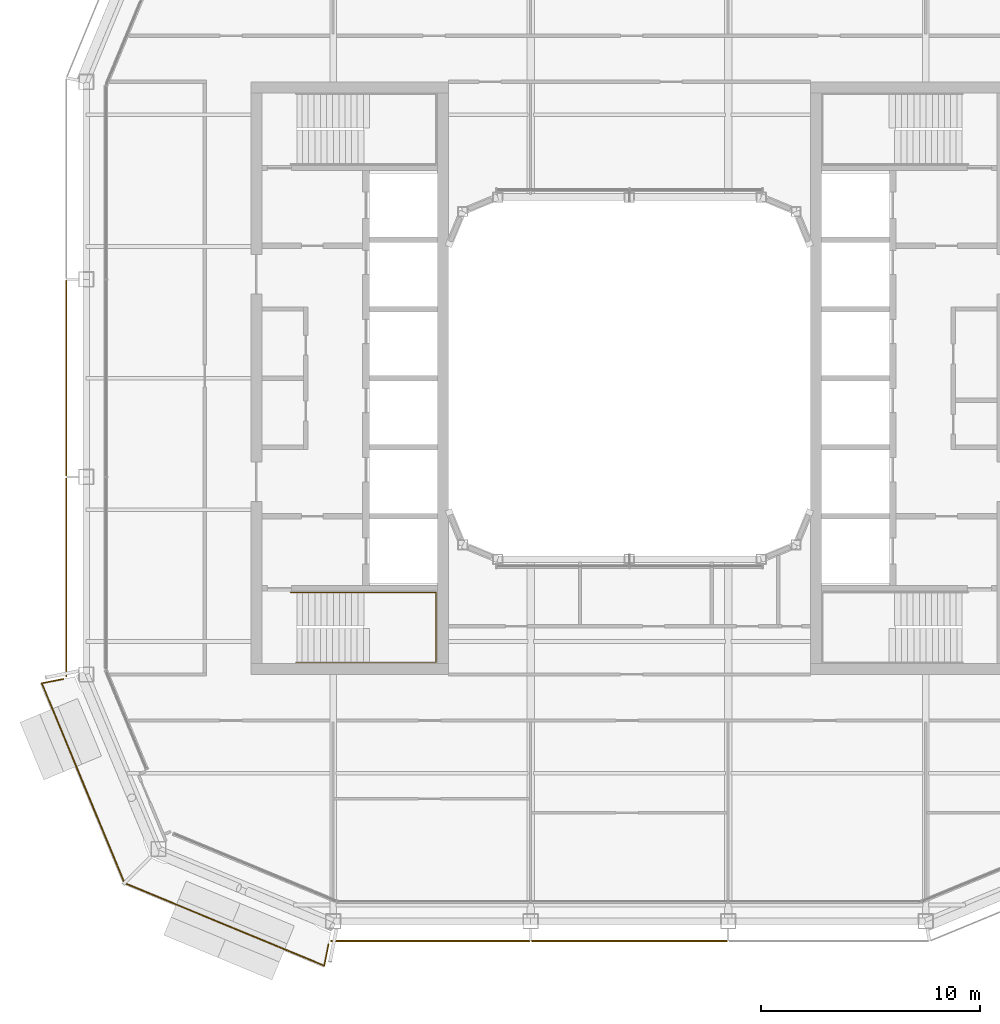
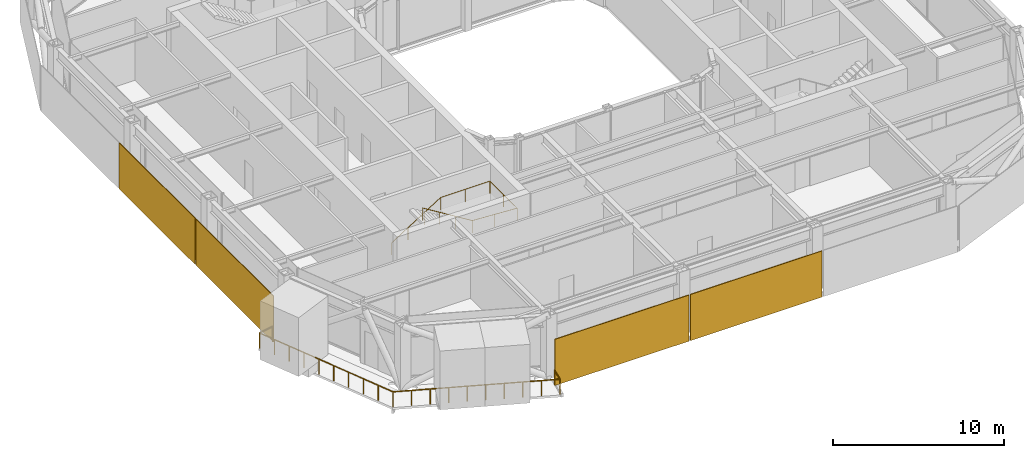
# One storey, part 17 of 21: 4 coverings, 2 railings.
"""IFC4 building model written with IfcOpenShell, lengths in metres."""

from ifc_helpers import new_model, si_unit, direction, frame, origin, origin_2d, place, context, subcontext, project, spatial, rectangle, circle, extrude, material, layer, layer_set, type_object, element, save


model = new_model("IFC4")

# Units and contexts
model_context = context("Model", 3, precision=1e-05, world=origin(), true_north=direction((0.0, 1.0)))
body_context = subcontext(model_context, "Body", "Model", "MODEL_VIEW")
ifc_project = project(units=[si_unit("LENGTHUNIT", "METRE"), si_unit("AREAUNIT", "SQUARE_METRE"), si_unit("VOLUMEUNIT", "CUBIC_METRE"), si_unit("PLANEANGLEUNIT", "RADIAN"), si_unit("MASSUNIT", "GRAM", prefix="KILO")], contexts=[model_context])

# Site, building, storey
site_placement = place(None, origin())
site = spatial("IfcSite", under=ifc_project, at=site_placement, CompositionType="ELEMENT")
building_placement = place(site_placement, origin())
building = spatial("IfcBuilding", under=site, at=building_placement, Name="Siwar Civic Tower", CompositionType="ELEMENT")
storey_placement = place(building_placement, frame((0.0, 0.0, 334.699951171875)))
storey = spatial("IfcBuildingStorey", under=building, at=storey_placement, Name="L72", CompositionType="ELEMENT", Elevation=334.699951171875)

# Railings
ifc_material_1 = material(Name="Stainless steel", Category="steel")
railing_type_1 = type_object("IfcRailingType", Name="CORE-STAIR-HANDRAIL", PredefinedType="HANDRAIL", material=ifc_material_1)
railing_1_placement = place(storey_placement, frame((-15.449951171875, -9.758056640625, 0.173095703125)))
element("IfcRailing", 1, at=railing_1_placement, inside=storey, type_object=railing_type_1, Name="Stair handrail ST2", PredefinedType="HANDRAIL", context=body_context, shape_type="SweptSolid", body=[
    extrude(circle(Radius=0.02001953125, at=origin_2d()), frame((0.0, 0.0, 0.8798828125), z_axis=(0.847063342986, 0.0, 0.531491950051), x_axis=(0.0, 1.0, 0.0)), (0.0, 0.0, 1.0), 3.90771484375),
    extrude(circle(Radius=0.02001953125, at=origin_2d()), frame((3.31005859375, 0.0, 2.956787109375), z_axis=(1.0, 0.0, 0.0), x_axis=(0.0, 1.0, 0.0)), (0.0, 0.0, 1.0), 3.331787109375),
    extrude(circle(Radius=0.02001953125, at=origin_2d()), frame((6.641845703125, 0.0, 2.956787109375), z_axis=(0.0, -1.0, 0.0), x_axis=(1.0, 0.0, 0.0)), (0.0, 0.0, 1.0), 3.183837890625),
    extrude(circle(Radius=0.02001953125, at=origin_2d()), frame((6.641845703125, -3.183837890625, 2.956787109375), z_axis=(-0.99837434197, 0.0, 0.056997134106), x_axis=(0.0, -1.0, 0.0)), (0.0, 0.0, 1.0), 3.036865234375),
    extrude(circle(Radius=0.02001953125, at=origin_2d()), frame((3.60986328125, -3.183837890625, 3.1298828125), z_axis=(-0.850606129759, 0.0, 0.525803396734), x_axis=(0.0, -1.0, 0.0)), (0.0, 0.0, 1.0), 3.949951171875),
    extrude(circle(Radius=0.02001953125, at=origin_2d()), origin(), (0.0, 0.0, 1.0), 0.85986328125),
    extrude(circle(Radius=0.02001953125, at=origin_2d()), frame((1.103271484375, 0.0, 0.6923828125)), (0.0, 0.0, 1.0), 0.85986328125),
    extrude(circle(Radius=0.02001953125, at=origin_2d()), frame((2.206787109375, 0.0, 1.384521484375)), (0.0, 0.0, 1.0), 0.85986328125),
    extrude(circle(Radius=0.02001953125, at=origin_2d()), frame((3.31005859375, 0.0, 2.076904296875)), (0.0, 0.0, 1.0), 0.85986328125),
    extrude(circle(Radius=0.02001953125, at=origin_2d()), frame((4.97607421875, 0.0, 2.076904296875)), (0.0, 0.0, 1.0), 0.85986328125),
    extrude(circle(Radius=0.02001953125, at=origin_2d()), frame((6.641845703125, 0.0, 2.076904296875)), (0.0, 0.0, 1.0), 0.85986328125),
    extrude(circle(Radius=0.02001953125, at=origin_2d()), frame((6.641845703125, -1.591796875, 2.076904296875)), (0.0, 0.0, 1.0), 0.85986328125),
    extrude(circle(Radius=0.02001953125, at=origin_2d()), frame((6.641845703125, -3.183837890625, 2.076904296875)), (0.0, 0.0, 1.0), 0.85986328125),
    extrude(circle(Radius=0.02001953125, at=origin_2d()), frame((5.1259765625, -3.183837890625, 2.16357421875)), (0.0, 0.0, 1.0), 0.85986328125),
    extrude(circle(Radius=0.02001953125, at=origin_2d()), frame((3.60986328125, -3.183837890625, 2.25)), (0.0, 0.0, 1.0), 0.85986328125),
    extrude(circle(Radius=0.02001953125, at=origin_2d()), frame((2.489990234375, -3.183837890625, 2.9423828125)), (0.0, 0.0, 1.0), 0.85986328125),
    extrude(circle(Radius=0.02001953125, at=origin_2d()), frame((1.369873046875, -3.183837890625, 3.634521484375)), (0.0, 0.0, 1.0), 0.85986328125),
    extrude(circle(Radius=0.02001953125, at=origin_2d()), frame((0.25, -3.183837890625, 4.326904296875)), (0.0, 0.0, 1.0), 0.85986328125),
])
ifc_material_2 = material(Name="Stainless steel 316", Category="steel")
railing_type_2 = type_object("IfcRailingType", Name="ENV-GUARD", PredefinedType="GUARDRAIL", material=ifc_material_2)
railing_2_placement = place(storey_placement, frame((-25.797119140625, -13.708251953125, 0.0)))
element("IfcRailing", 2, at=railing_2_placement, inside=storey, type_object=railing_type_2, Name="Balcony guard SW", PredefinedType="GUARDRAIL", context=body_context, shape_type="SweptSolid", body=[
    extrude(circle(Radius=0.02392578125, at=origin_2d()), frame((0.0, 0.0, 1.076171875), z_axis=(-0.980778661911, -0.195123592472, 0.0), x_axis=(0.195123592472, -0.980778661911, 0.0)), (0.0, 0.0, 1.0), 0.993408203125),
    extrude(circle(Radius=0.02392578125, at=origin_2d()), frame((-0.974365234375, -0.19384765625, 1.076171875), z_axis=(0.38225621169, -0.924056377406, 0.0), x_axis=(0.924056377406, 0.38225621169, 0.0)), (0.0, 0.0, 1.0), 9.851806640625),
    extrude(circle(Radius=0.02392578125, at=origin_2d()), frame((2.79150390625, -9.29736328125, 1.076171875), z_axis=(0.924056377406, -0.38225621169, 0.0), x_axis=(0.38225621169, 0.924056377406, 0.0)), (0.0, 0.0, 1.0), 9.851806640625),
    extrude(circle(Radius=0.02392578125, at=origin_2d()), frame((11.89501953125, -13.063232421875, 1.076171875), z_axis=(0.195123592472, 0.980778661911, 0.0), x_axis=(-0.980778661911, 0.195123592472, 0.0)), (0.0, 0.0, 1.0), 0.993408203125),
    extrude(circle(Radius=0.02099609375, at=origin_2d()), origin(), (0.0, 0.0, 1.0), 1.052001953125),
    extrude(circle(Radius=0.02099609375, at=origin_2d()), frame((-0.974365234375, -0.19384765625, 0.0)), (0.0, 0.0, 1.0), 1.052001953125),
    extrude(circle(Radius=0.02099609375, at=origin_2d()), frame((-0.555908203125, -1.205322265625, 0.0)), (0.0, 0.0, 1.0), 1.052001953125),
    extrude(circle(Radius=0.02099609375, at=origin_2d()), frame((-0.137451171875, -2.216796875, 0.0)), (0.0, 0.0, 1.0), 1.052001953125),
    extrude(circle(Radius=0.02099609375, at=origin_2d()), frame((0.281005859375, -3.228271484375, 0.0)), (0.0, 0.0, 1.0), 1.052001953125),
    extrude(circle(Radius=0.02099609375, at=origin_2d()), frame((0.699462890625, -4.23974609375, 0.0)), (0.0, 0.0, 1.0), 1.052001953125),
    extrude(circle(Radius=0.02099609375, at=origin_2d()), frame((1.11767578125, -5.25146484375, 0.0)), (0.0, 0.0, 1.0), 1.052001953125),
    extrude(circle(Radius=0.02099609375, at=origin_2d()), frame((1.5361328125, -6.262939453125, 0.0)), (0.0, 0.0, 1.0), 1.052001953125),
    extrude(circle(Radius=0.02099609375, at=origin_2d()), frame((1.95458984375, -7.2744140625, 0.0)), (0.0, 0.0, 1.0), 1.052001953125),
    extrude(circle(Radius=0.02099609375, at=origin_2d()), frame((2.373046875, -8.285888671875, 0.0)), (0.0, 0.0, 1.0), 1.052001953125),
    extrude(circle(Radius=0.02099609375, at=origin_2d()), frame((2.79150390625, -9.29736328125, 0.0)), (0.0, 0.0, 1.0), 1.052001953125),
    extrude(circle(Radius=0.02099609375, at=origin_2d()), frame((3.802978515625, -9.7158203125, 0.0)), (0.0, 0.0, 1.0), 1.052001953125),
    extrude(circle(Radius=0.02099609375, at=origin_2d()), frame((4.814453125, -10.13427734375, 0.0)), (0.0, 0.0, 1.0), 1.052001953125),
    extrude(circle(Radius=0.02099609375, at=origin_2d()), frame((5.825927734375, -10.552734375, 0.0)), (0.0, 0.0, 1.0), 1.052001953125),
    extrude(circle(Radius=0.02099609375, at=origin_2d()), frame((6.83740234375, -10.97119140625, 0.0)), (0.0, 0.0, 1.0), 1.052001953125),
    extrude(circle(Radius=0.02099609375, at=origin_2d()), frame((7.84912109375, -11.389404296875, 0.0)), (0.0, 0.0, 1.0), 1.052001953125),
    extrude(circle(Radius=0.02099609375, at=origin_2d()), frame((8.860595703125, -11.807861328125, 0.0)), (0.0, 0.0, 1.0), 1.052001953125),
    extrude(circle(Radius=0.02099609375, at=origin_2d()), frame((9.8720703125, -12.226318359375, 0.0)), (0.0, 0.0, 1.0), 1.052001953125),
    extrude(circle(Radius=0.02099609375, at=origin_2d()), frame((10.883544921875, -12.644775390625, 0.0)), (0.0, 0.0, 1.0), 1.052001953125),
    extrude(circle(Radius=0.02099609375, at=origin_2d()), frame((11.89501953125, -13.063232421875, 0.0)), (0.0, 0.0, 1.0), 1.052001953125),
    extrude(circle(Radius=0.02099609375, at=origin_2d()), frame((12.0888671875, -12.0888671875, 0.0)), (0.0, 0.0, 1.0), 1.052001953125),
])

# Coverings
ifc_material_3 = material(Name="Perforated aluminium cassette, pale metal", Category="aluminium")
ifc_layer_1 = layer(ifc_material_3, 0.050048828125)
ifc_layer_set_1 = layer_set([ifc_layer_1], Name="Perforated aluminium cassette, pale metal")
covering_type_1 = type_object("IfcCoveringType", Name="ENV-OUTER SKIN OS-3", PredefinedType="CLADDING", material=ifc_layer_set_1)
covering_1_placement = place(storey_placement, frame((-25.64990234375, 0.0, -0.14990234375), z_axis=(0.0, 0.0, 1.0), x_axis=(0.0, -1.0, 0.0)))
element("IfcCovering", 3, at=covering_1_placement, inside=storey, type_object=covering_type_1, Name="OUTER SKIN OS-3 W 2", PredefinedType="CLADDING", context=body_context, shape_type="SweptSolid", body=[
    extrude(rectangle(XDim=8.89990234375, YDim=0.050048828125, at=origin_2d()), origin(), (0.0, 0.0, 1.0), 3.300048828125),
])
covering_2_placement = place(storey_placement, frame((-25.64990234375, -9.07958984375, -0.14990234375), z_axis=(0.0, 0.0, 1.0), x_axis=(0.0, -1.0, 0.0)))
element("IfcCovering", 4, at=covering_2_placement, inside=storey, type_object=covering_type_1, Name="OUTER SKIN OS-3 W 3", PredefinedType="CLADDING", context=body_context, shape_type="SweptSolid", body=[
    extrude(rectangle(XDim=9.05908203125, YDim=0.050048828125, at=origin_2d()), origin(), (0.0, 0.0, 1.0), 3.300048828125),
])
ifc_material_4 = material(Name="Perforated aluminium cassette, pale metal", Category="aluminium")
ifc_layer_2 = layer(ifc_material_4, 0.054931640625)
ifc_layer_set_2 = layer_set([ifc_layer_2], Name="Perforated aluminium cassette, pale metal")
covering_type_2 = type_object("IfcCoveringType", Name="ENV-OUTER SKIN OS-4", PredefinedType="CLADDING", material=ifc_layer_set_2)
covering_3_placement = place(storey_placement, frame((-9.07958984375, -25.64990234375, -0.14990234375), z_axis=(0.0, 0.0, 1.0), x_axis=(1.0, 0.0, 0.0)))
element("IfcCovering", 5, at=covering_3_placement, inside=storey, type_object=covering_type_2, Name="OUTER SKIN OS-4 S 1", PredefinedType="CLADDING", context=body_context, shape_type="SweptSolid", body=[
    extrude(rectangle(XDim=9.05908203125, YDim=0.054931640625, at=origin_2d()), origin(), (0.0, 0.0, 1.0), 3.300048828125),
])
covering_4_placement = place(storey_placement, frame((0.0, -25.64990234375, -0.14990234375), z_axis=(0.0, 0.0, 1.0), x_axis=(1.0, 0.0, 0.0)))
element("IfcCovering", 6, at=covering_4_placement, inside=storey, type_object=covering_type_2, Name="OUTER SKIN OS-4 S 2", PredefinedType="CLADDING", context=body_context, shape_type="SweptSolid", body=[
    extrude(rectangle(XDim=8.89990234375, YDim=0.054931640625, at=origin_2d()), origin(), (0.0, 0.0, 1.0), 3.300048828125),
])

save(model, "model.ifc")
